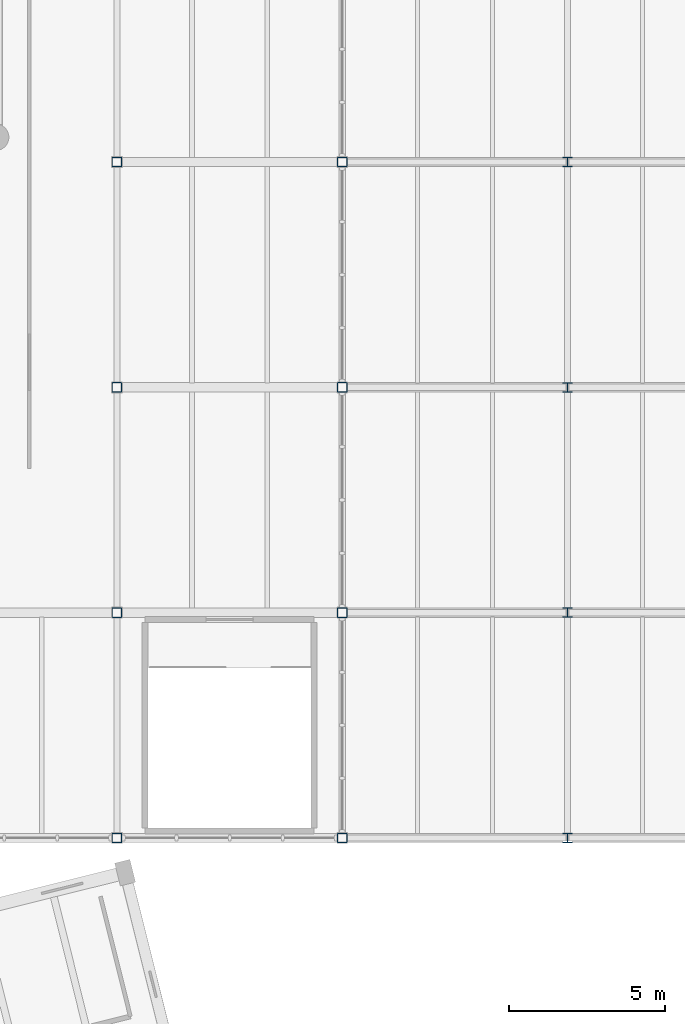
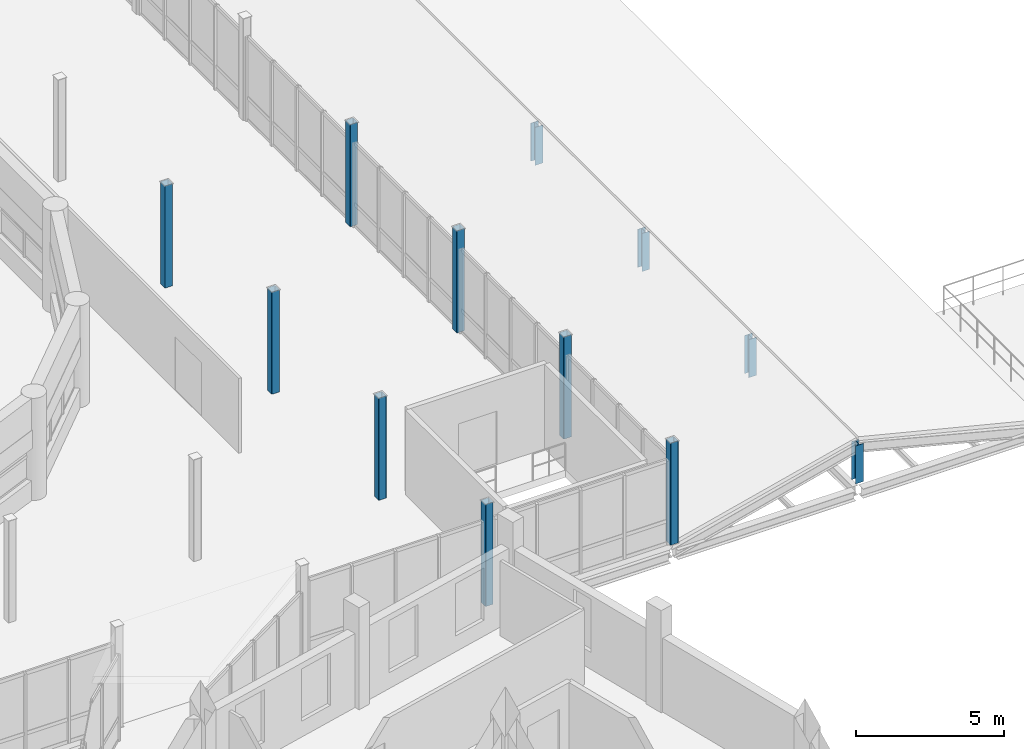
# One storey, part 5 of 63: 12 columns.
"""IFC4 building model written with IfcOpenShell, lengths in metres."""

from ifc_helpers import new_model, si_unit, direction, frame, origin, origin_2d, place, context, subcontext, project, spatial, hollow_rectangle, i_section, extrude, material, material_profile, profile_set, type_object, element, save


model = new_model("IFC4")

# Units and contexts
model_context = context("Model", 3, precision=1e-05, world=origin(), true_north=direction((0.0, 1.0)))
body_context = subcontext(model_context, "Body", "Model", "MODEL_VIEW")
ifc_project = project(units=[si_unit("LENGTHUNIT", "METRE"), si_unit("AREAUNIT", "SQUARE_METRE"), si_unit("VOLUMEUNIT", "CUBIC_METRE"), si_unit("PLANEANGLEUNIT", "RADIAN"), si_unit("MASSUNIT", "GRAM", prefix="KILO")], contexts=[model_context])

# Site, building, storey
site_placement = place(None, origin())
site = spatial("IfcSite", under=ifc_project, at=site_placement, CompositionType="ELEMENT")
building_placement = place(site_placement, origin())
building = spatial("IfcBuilding", under=site, at=building_placement, Name="Qiaolan Assembly House", CompositionType="ELEMENT")
storey_placement = place(building_placement, frame((0.0, 0.0, 14.39990234375)))
storey = spatial("IfcBuildingStorey", under=building, at=storey_placement, Name="L03", CompositionType="ELEMENT", Elevation=14.39990234375)

# Columns
ifc_material = material(Name="Steel Q355B", Category="steel")
ifc_material_profile_1 = material_profile(ifc_material, i_section(OverallWidth=0.300048828125, OverallDepth=0.300048828125, WebThickness=0.010009765625, FlangeThickness=0.014892578125, FilletRadius=0.01806640625, at=origin_2d()), Name="HW 300x300x10x15")
ifc_profile_set_1 = profile_set([ifc_material_profile_1], Name="Steel Q355B")
column_type_1 = type_object("IfcColumnType", Name="COL-STL-HW300", PredefinedType="COLUMN", material=ifc_profile_set_1)
for number, where, z_axis, x_axis, name in (
    (1, (100.800048828125, 36.0, 0.0), (0.0, 0.0, 1.0), (1.0, 0.0, 0.0), "SC-08 hall skylight ridge post L03"),
    (2, (100.800048828125, 43.199951171875, 0.0), (0.0, 0.0, 1.0), (1.0, 0.0, 0.0), "SC-08 hall skylight ridge post L03"),
    (3, (100.800048828125, 50.39990234375, 0.0), (0.0, 0.0, 1.0), (1.0, 0.0, 0.0), "SC-08 hall skylight ridge post L03"),
    (4, (100.800048828125, 57.60009765625, 0.0), (0.0, 0.0, 1.0), (1.0, 0.0, 0.0), "SC-08 hall skylight ridge post L03"),
):
    element("IfcColumn", number, at=place(storey_placement, frame(where, z_axis=z_axis, x_axis=x_axis)), inside=storey, type_object=column_type_1, Name=name, PredefinedType="COLUMN", context=body_context, shape_type="SweptSolid", body=[
        extrude(i_section(OverallWidth=0.300048828125, OverallDepth=0.300048828125, WebThickness=0.010009765625, FlangeThickness=0.014892578125, FilletRadius=0.01806640625, at=origin_2d()), origin(), (0.0, 0.0, 1.0), 1.565673828125),
    ])
ifc_material_profile_2 = material_profile(ifc_material, hollow_rectangle(XDim=0.31005859375, YDim=0.31005859375, WallThickness=0.011962890625, InnerFilletRadius=0.011962890625, OuterFilletRadius=0.02392578125, at=origin_2d()), Name="SHS 310x310x12")
ifc_profile_set_2 = profile_set([ifc_material_profile_2], Name="Steel Q355B")
column_type_2 = type_object("IfcColumnType", Name="COL-STL-SHS310", PredefinedType="COLUMN", material=ifc_profile_set_2)
for number, where, z_axis, x_axis, name in (
    (5, (86.39990234375, 36.0, 0.0), (0.0, 0.0, 1.0), (1.0, 0.0, 0.0), "SC-10 L03 hall concourse column"),
    (6, (86.39990234375, 43.199951171875, 0.0), (0.0, 0.0, 1.0), (1.0, 0.0, 0.0), "SC-10 L03 hall concourse column"),
    (7, (86.39990234375, 50.39990234375, 0.0), (0.0, 0.0, 1.0), (1.0, 0.0, 0.0), "SC-10 L03 hall concourse column"),
    (8, (86.39990234375, 57.60009765625, 0.0), (0.0, 0.0, 1.0), (1.0, 0.0, 0.0), "SC-10 L03 hall concourse column"),
    (9, (93.60009765625, 36.0, 0.0), (0.0, 0.0, 1.0), (1.0, 0.0, 0.0), "SC-10 L03 hall concourse column"),
    (10, (93.60009765625, 43.199951171875, 0.0), (0.0, 0.0, 1.0), (1.0, 0.0, 0.0), "SC-10 L03 hall concourse column"),
    (11, (93.60009765625, 50.39990234375, 0.0), (0.0, 0.0, 1.0), (1.0, 0.0, 0.0), "SC-10 L03 hall concourse column"),
    (12, (93.60009765625, 57.60009765625, 0.0), (0.0, 0.0, 1.0), (1.0, 0.0, 0.0), "SC-10 L03 hall concourse column"),
):
    element("IfcColumn", number, at=place(storey_placement, frame(where, z_axis=z_axis, x_axis=x_axis)), inside=storey, type_object=column_type_2, Name=name, PredefinedType="COLUMN", context=body_context, shape_type="SweptSolid", body=[
        extrude(hollow_rectangle(XDim=0.31005859375, YDim=0.31005859375, WallThickness=0.011962890625, InnerFilletRadius=0.011962890625, OuterFilletRadius=0.02392578125, at=origin_2d()), origin(), (0.0, 0.0, 1.0), 4.2001953125),
    ])

save(model, "model.ifc")
